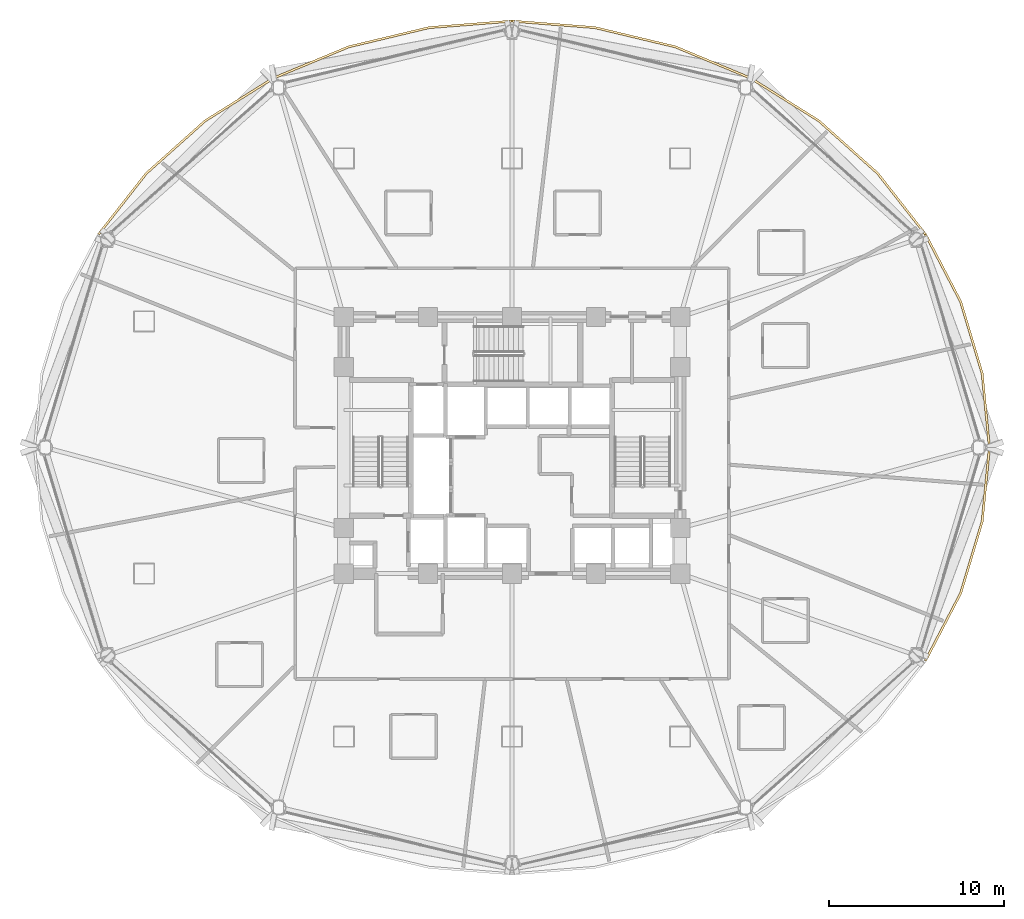
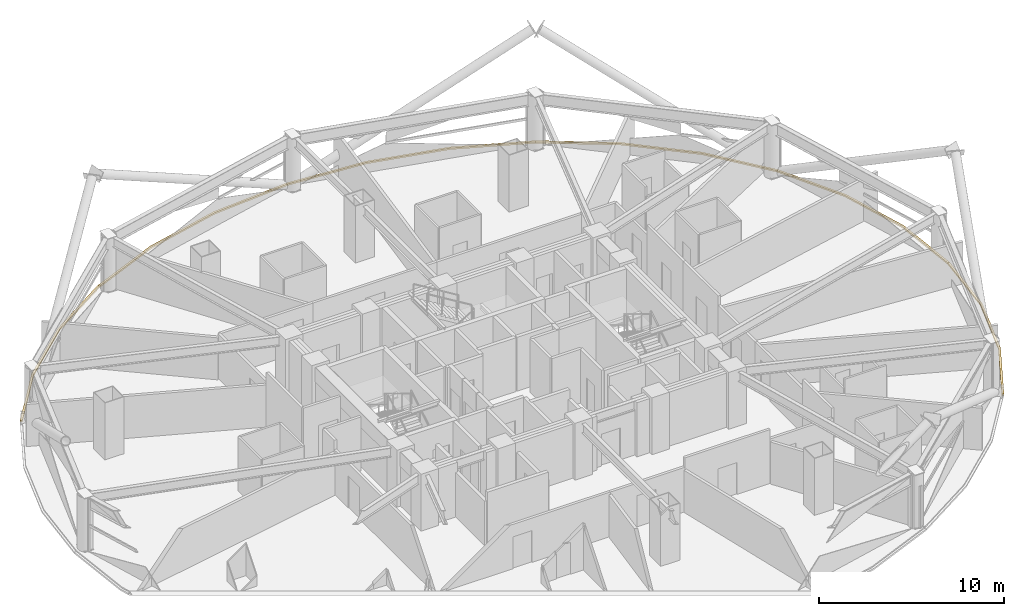
# One storey, part 30 of 30: 6 coverings.
"""IFC4 building model written with IfcOpenShell, lengths in metres."""

from ifc_helpers import new_model, si_unit, direction, frame, origin, place, context, subcontext, project, spatial, polyline, outline, extrude, material, layer, layer_set, type_object, element, save


model = new_model("IFC4")

# Units and contexts
model_context = context("Model", 3, precision=1e-05, world=origin(), true_north=direction((0.0, 1.0)))
body_context = subcontext(model_context, "Body", "Model", "MODEL_VIEW")
ifc_project = project(units=[si_unit("LENGTHUNIT", "METRE"), si_unit("AREAUNIT", "SQUARE_METRE"), si_unit("VOLUMEUNIT", "CUBIC_METRE"), si_unit("PLANEANGLEUNIT", "RADIAN"), si_unit("MASSUNIT", "GRAM", prefix="KILO")], contexts=[model_context])

# Site, building, storey
site_placement = place(None, origin())
site = spatial("IfcSite", under=ifc_project, at=site_placement, CompositionType="ELEMENT")
building_placement = place(site_placement, origin())
building = spatial("IfcBuilding", under=site, at=building_placement, Name="Vantalir Tower", CompositionType="ELEMENT")
storey_placement = place(building_placement, frame((0.0, 0.0, 49.5)))
storey = spatial("IfcBuildingStorey", under=building, at=storey_placement, Name="L11", CompositionType="ELEMENT", Elevation=49.5)

# Coverings
ifc_material = material(Name="Anodised champagne aluminium sill fascia", Category="aluminium")
ifc_layer = layer(ifc_material, 0.125)
ifc_layer_set = layer_set([ifc_layer], Name="Anodised champagne aluminium sill fascia")
covering_type = type_object("IfcCoveringType", Name="COV-SLAB-FASCIA-125", PredefinedType="CLADDING", material=ifc_layer_set)
covering_1_placement = place(storey_placement, frame((0.0, 0.0, -0.179931640625)))
element("IfcCovering", 1, at=covering_1_placement, inside=storey, type_object=covering_type, Name="L11 Perimeter Slab-Edge Sill Fascia 01", PredefinedType="CLADDING", context=body_context, shape_type="SweptSolid", body=[
    extrude(outline(polyline([(58.81396484375, 25.0), (58.39892578125, 29.237060546875), (57.1669921875, 33.345947265625), (55.155029296875, 37.199951171875), (55.0458984375, 37.137939453125), (57.049072265625, 33.302978515625), (58.27587890625, 29.215087890625), (58.68896484375, 25.0), (58.81396484375, 25.0)])), origin(), (0.0, 0.0, 1.0), 0.10498046875),
])
covering_2_placement = place(storey_placement, frame((0.0, 0.0, -0.179931640625)))
element("IfcCovering", 2, at=covering_2_placement, inside=storey, type_object=covering_type, Name="L11 Perimeter Slab-Edge Sill Fascia 02", PredefinedType="CLADDING", context=body_context, shape_type="SweptSolid", body=[
    extrude(outline(polyline([(55.155029296875, 37.199951171875), (52.424072265625, 40.68505859375), (49.056884765625, 43.69189453125), (45.156982421875, 46.132080078125), (45.094970703125, 46.02392578125), (48.97705078125, 43.595947265625), (52.327880859375, 40.60400390625), (55.0458984375, 37.137939453125), (55.155029296875, 37.199951171875)])), origin(), (0.0, 0.0, 1.0), 0.10498046875),
])
covering_3_placement = place(storey_placement, frame((0.0, 0.0, -0.179931640625)))
element("IfcCovering", 3, at=covering_3_placement, inside=storey, type_object=covering_type, Name="L11 Perimeter Slab-Edge Sill Fascia 03", PredefinedType="CLADDING", context=body_context, shape_type="SweptSolid", body=[
    extrude(outline(polyline([(45.156982421875, 46.132080078125), (40.842041015625, 47.928955078125), (36.242919921875, 49.030029296875), (31.5, 49.40087890625), (31.5, 49.27587890625), (36.220947265625, 48.906982421875), (40.799072265625, 47.81201171875), (45.094970703125, 46.02392578125), (45.156982421875, 46.132080078125)])), origin(), (0.0, 0.0, 1.0), 0.10498046875),
])
covering_4_placement = place(storey_placement, frame((0.0, 0.0, -0.179931640625)))
element("IfcCovering", 4, at=covering_4_placement, inside=storey, type_object=covering_type, Name="L11 Perimeter Slab-Edge Sill Fascia 04", PredefinedType="CLADDING", context=body_context, shape_type="SweptSolid", body=[
    extrude(outline(polyline([(31.5, 49.40087890625), (26.757080078125, 49.030029296875), (22.157958984375, 47.928955078125), (17.843017578125, 46.132080078125), (17.906005859375, 46.02392578125), (22.200927734375, 47.81201171875), (26.779052734375, 48.906982421875), (31.5, 49.27587890625), (31.5, 49.40087890625)])), origin(), (0.0, 0.0, 1.0), 0.10498046875),
])
covering_5_placement = place(storey_placement, frame((0.0, 0.0, -0.179931640625)))
element("IfcCovering", 5, at=covering_5_placement, inside=storey, type_object=covering_type, Name="L11 Perimeter Slab-Edge Sill Fascia 05", PredefinedType="CLADDING", context=body_context, shape_type="SweptSolid", body=[
    extrude(outline(polyline([(17.843017578125, 46.132080078125), (13.943115234375, 43.69189453125), (10.575927734375, 40.68505859375), (7.844970703125, 37.199951171875), (7.9541015625, 37.137939453125), (10.672119140625, 40.60400390625), (14.02294921875, 43.595947265625), (17.906005859375, 46.02392578125), (17.843017578125, 46.132080078125)])), origin(), (0.0, 0.0, 1.0), 0.10498046875),
])
covering_6_placement = place(storey_placement, frame((0.0, 0.0, -0.179931640625)))
element("IfcCovering", 6, at=covering_6_placement, inside=storey, type_object=covering_type, Name="L11 Perimeter Slab-Edge Sill Fascia 12", PredefinedType="CLADDING", context=body_context, shape_type="SweptSolid", body=[
    extrude(outline(polyline([(55.155029296875, 12.799072265625), (57.1669921875, 16.654052734375), (58.39892578125, 20.762939453125), (58.81396484375, 25.0), (58.68896484375, 25.0), (58.27587890625, 20.784912109375), (57.049072265625, 16.697021484375), (55.0458984375, 12.862060546875), (55.155029296875, 12.799072265625)])), origin(), (0.0, 0.0, 1.0), 0.10498046875),
])

save(model, "model.ifc")
